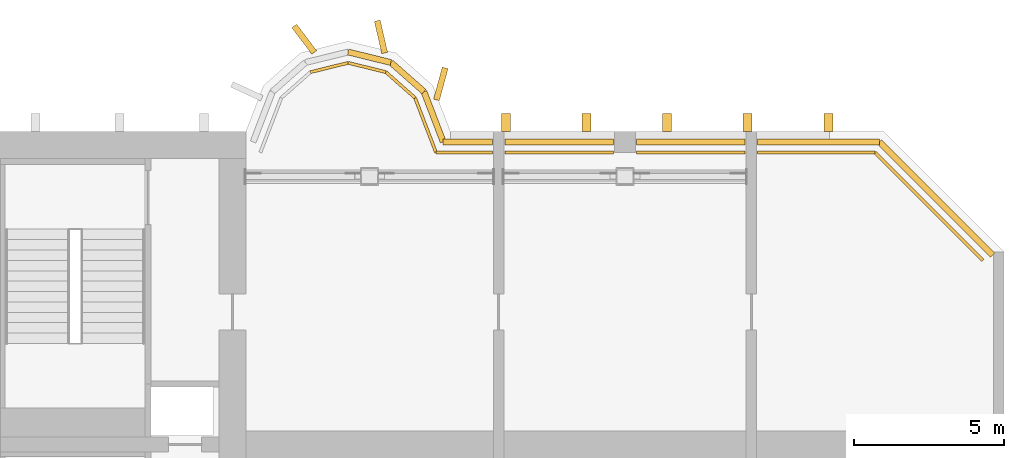
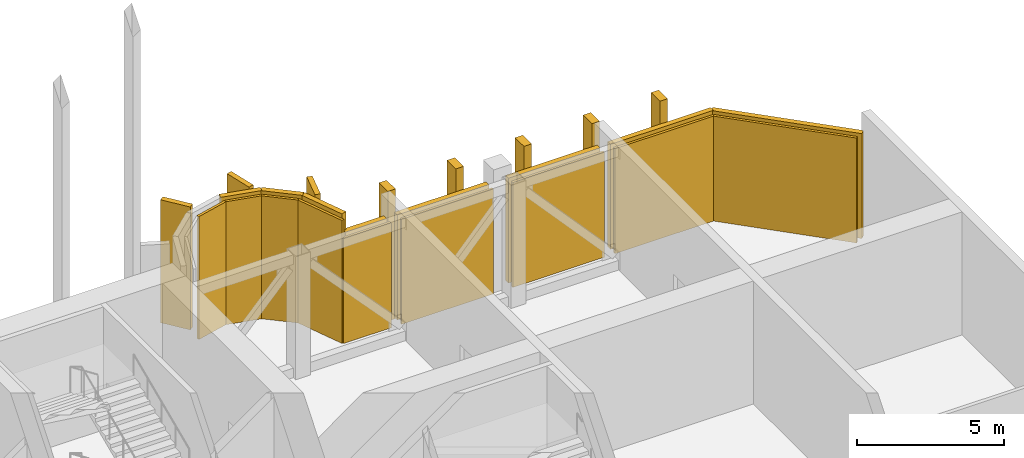
# One storey, part 17 of 17: 17 coverings, 8 shading devices.
"""IFC4 building model written with IfcOpenShell, lengths in metres."""

from ifc_helpers import new_model, si_unit, direction, frame, origin, origin_2d, place, context, subcontext, project, spatial, rectangle, extrude, source, transform, mapped, material, layer, layer_set, material_profile, profile_set, type_object, element, save


model = new_model("IFC4")

# Units and contexts
model_context = context("Model", 3, precision=1e-05, world=origin(), true_north=direction((0.0, 1.0)))
body_context = subcontext(model_context, "Body", "Model", "MODEL_VIEW")
ifc_project = project(units=[si_unit("LENGTHUNIT", "METRE"), si_unit("AREAUNIT", "SQUARE_METRE"), si_unit("VOLUMEUNIT", "CUBIC_METRE"), si_unit("PLANEANGLEUNIT", "RADIAN"), si_unit("MASSUNIT", "GRAM", prefix="KILO")], contexts=[model_context])

# Site, building, storey
site_placement = place(None, origin())
site = spatial("IfcSite", under=ifc_project, at=site_placement, CompositionType="ELEMENT")
building_placement = place(site_placement, origin())
building = spatial("IfcBuilding", under=site, at=building_placement, Name="Vanashikhar Sky Hotel", CompositionType="ELEMENT")
storey_placement = place(building_placement, frame((0.0, 0.0, 140.800048828125)))
storey = spatial("IfcBuildingStorey", under=building, at=storey_placement, Name="L34", CompositionType="ELEMENT", Elevation=140.800048828125)

# Shading devices
ifc_material_1 = material(Name="Aluminium", Category="aluminium")
ifc_layer_1 = layer(ifc_material_1, 0.199951171875)
ifc_layer_set_1 = layer_set([ifc_layer_1], Name="Aluminium louvre band")
shading_device_type = type_object("IfcShadingDeviceType", Name="Aluminium louvre band", PredefinedType="USERDEFINED", material=ifc_layer_set_1)
shared_shape_1 = source(origin(), body_context, "Body", "SweptSolid", [
    extrude(rectangle(XDim=1.7900390625, YDim=0.199951171875, at=origin_2d()), origin(), (0.0, 0.0, 1.0), 5.1201171875),
])
shading_device_1_placement = place(storey_placement, frame((81.839111328125, 42.485595703125, 0.0), z_axis=(0.0, 0.0, 1.0), x_axis=(-0.35776499493, 0.933811655744, 0.0)))
element("IfcShadingDevice", 1, at=shading_device_1_placement, inside=storey, type_object=shading_device_type, Name="Louvre band", ObjectType="LOUVRE", PredefinedType="USERDEFINED", context=body_context, shape_type="MappedRepresentation", body=[
    mapped(shared_shape_1, transform((0.0, 0.0, 0.0), scale=1.0)),
])
shared_shape_2 = source(origin(), body_context, "Body", "SweptSolid", [
    extrude(rectangle(XDim=1.464599609375, YDim=0.199951171875, at=origin_2d()), origin(), (0.0, 0.0, 1.0), 5.1201171875),
])
shading_device_2_placement = place(storey_placement, frame((80.969970703125, 43.805908203125, 0.0), z_axis=(0.0, 0.0, 1.0), x_axis=(-0.749741606437, 0.661730703214, 0.0)))
element("IfcShadingDevice", 2, at=shading_device_2_placement, inside=storey, type_object=shading_device_type, Name="Louvre band", ObjectType="LOUVRE", PredefinedType="USERDEFINED", context=body_context, shape_type="MappedRepresentation", body=[
    mapped(shared_shape_2, transform((0.0, 0.0, 0.0), scale=1.0)),
])
shared_shape_3 = source(origin(), body_context, "Body", "SweptSolid", [
    extrude(rectangle(XDim=1.463134765625, YDim=0.199951171875, at=origin_2d()), origin(), (0.0, 0.0, 1.0), 5.1201171875),
])
shading_device_3_placement = place(storey_placement, frame((79.71044921875, 44.465087890625, 0.0), z_axis=(0.0, 0.0, 1.0), x_axis=(-0.97113427991, 0.238533457579, 0.0)))
element("IfcShadingDevice", 3, at=shading_device_3_placement, inside=storey, type_object=shading_device_type, Name="Louvre band", ObjectType="LOUVRE", PredefinedType="USERDEFINED", context=body_context, shape_type="MappedRepresentation", body=[
    mapped(shared_shape_3, transform((0.0, 0.0, 0.0), scale=1.0)),
])

# Coverings
ifc_material_2 = material(Name="Concrete M40", Category="concrete")
ifc_layer_2 = layer(ifc_material_2, 0.10009765625)
ifc_layer_set_2 = layer_set([ifc_layer_2], Name="Plant floor cladding panel")
covering_type_1 = type_object("IfcCoveringType", Name="Plant floor cladding panel", PredefinedType="CLADDING", material=ifc_layer_set_2)
shared_shape_4 = source(origin(), body_context, "Body", "SweptSolid", [
    extrude(rectangle(XDim=5.076904296875, YDim=0.10009765625, at=origin_2d()), origin(), (0.0, 0.0, 1.0), 4.3701171875),
])
covering_1_placement = place(storey_placement, frame((98.304931640625, 39.5048828125, 0.0), z_axis=(0.0, 0.0, 1.0), x_axis=(-0.707106781187, 0.707106781187, 0.0)))
element("IfcCovering", 4, at=covering_1_placement, inside=storey, type_object=covering_type_1, Name="Plant floor cladding panel", PredefinedType="CLADDING", context=body_context, shape_type="MappedRepresentation", body=[
    mapped(shared_shape_4, transform((0.0, 0.0, 0.0), scale=1.0)),
])
shared_shape_5 = source(origin(), body_context, "Body", "SweptSolid", [
    extrude(rectangle(XDim=1.944580078125, YDim=0.10009765625, at=origin_2d()), origin(), (0.0, 0.0, 1.0), 5.1201171875),
])
covering_2_placement = place(storey_placement, frame((81.57080078125, 42.2080078125, 0.0), z_axis=(0.0, 0.0, 1.0), x_axis=(-0.357781292963, 0.933805411425, 0.0)))
element("IfcCovering", 5, at=covering_2_placement, inside=storey, type_object=covering_type_1, Name="Plant floor cladding panel", PredefinedType="CLADDING", context=body_context, shape_type="MappedRepresentation", body=[
    mapped(shared_shape_5, transform((0.0, 0.0, 0.0), scale=1.0)),
])
shared_shape_6 = source(origin(), body_context, "Body", "SweptSolid", [
    extrude(rectangle(XDim=1.29248046875, YDim=0.10009765625, at=origin_2d()), origin(), (0.0, 0.0, 1.0), 5.1201171875),
])
covering_3_placement = place(storey_placement, frame((80.73828125, 43.543701171875, 0.0), z_axis=(0.0, 0.0, 1.0), x_axis=(-0.749683856685, 0.661796127993, 0.0)))
element("IfcCovering", 6, at=covering_3_placement, inside=storey, type_object=covering_type_1, Name="Plant floor cladding panel", PredefinedType="CLADDING", context=body_context, shape_type="MappedRepresentation", body=[
    mapped(shared_shape_6, transform((0.0, 0.0, 0.0), scale=1.0)),
])
shared_shape_7 = source(origin(), body_context, "Body", "SweptSolid", [
    extrude(rectangle(XDim=1.291015625, YDim=0.10009765625, at=origin_2d()), origin(), (0.0, 0.0, 1.0), 5.1201171875),
])
for number, where, z_axis, x_axis, name in (
    (7, (79.626953125, 44.125244140625, 0.0), (0.0, 0.0, 1.0), (-0.97115093032, 0.238465659035, 0.0), "Plant floor cladding panel"),
    (8, (78.373046875, 44.125244140625, 0.0), (0.0, 0.0, 1.0), (-0.97115093032, -0.238465659035, 0.0), "Plant floor cladding panel"),
):
    element("IfcCovering", number, at=place(storey_placement, frame(where, z_axis=z_axis, x_axis=x_axis)), inside=storey, type_object=covering_type_1, Name=name, PredefinedType="CLADDING", context=body_context, shape_type="MappedRepresentation", body=[
        mapped(shared_shape_7, transform((0.0, 0.0, 0.0), scale=1.0)),
    ])

# Shading devices
shared_shape_8 = source(origin(), body_context, "Body", "SweptSolid", [
    extrude(rectangle(XDim=4.050048828125, YDim=0.199951171875, at=origin_2d()), origin(), (0.0, 0.0, 1.0), 4.3701171875),
])
shading_device_4_placement = place(storey_placement, frame((94.6298828125, 41.64990234375, 0.0), z_axis=(0.0, 0.0, 1.0), x_axis=(-1.0, 0.0, 0.0)))
element("IfcShadingDevice", 9, at=shading_device_4_placement, inside=storey, type_object=shading_device_type, Name="Louvre band", ObjectType="LOUVRE", PredefinedType="USERDEFINED", context=body_context, shape_type="MappedRepresentation", body=[
    mapped(shared_shape_8, transform((0.0, 0.0, 0.0), scale=1.0)),
])
shared_shape_9 = source(origin(), body_context, "Body", "SweptSolid", [
    extrude(rectangle(XDim=5.324462890625, YDim=0.199951171875, at=origin_2d()), origin(), (0.0, 0.0, 1.0), 4.3701171875),
])
shading_device_5_placement = place(storey_placement, frame((98.53759765625, 39.767578125, 0.0), z_axis=(0.0, 0.0, 1.0), x_axis=(-0.707106781187, 0.707106781187, 0.0)))
element("IfcShadingDevice", 10, at=shading_device_5_placement, inside=storey, type_object=shading_device_type, Name="Louvre band", ObjectType="LOUVRE", PredefinedType="USERDEFINED", context=body_context, shape_type="MappedRepresentation", body=[
    mapped(shared_shape_9, transform((0.0, 0.0, 0.0), scale=1.0)),
])
shared_shape_10 = source(origin(), body_context, "Body", "SweptSolid", [
    extrude(rectangle(XDim=1.6357421875, YDim=0.199951171875, at=origin_2d()), origin(), (0.0, 0.0, 1.0), 4.3701171875),
])
shading_device_6_placement = place(storey_placement, frame((82.97705078125, 41.64990234375, 0.0), z_axis=(0.0, 0.0, 1.0), x_axis=(-1.0, 0.0, 0.0)))
element("IfcShadingDevice", 11, at=shading_device_6_placement, inside=storey, type_object=shading_device_type, Name="Louvre band", ObjectType="LOUVRE", PredefinedType="USERDEFINED", context=body_context, shape_type="MappedRepresentation", body=[
    mapped(shared_shape_10, transform((0.0, 0.0, 0.0), scale=1.0)),
])
shared_shape_11 = source(origin(), body_context, "Body", "SweptSolid", [
    extrude(rectangle(XDim=3.614990234375, YDim=0.199951171875, at=origin_2d()), origin(), (0.0, 0.0, 1.0), 4.3701171875),
])
for number, where, z_axis, x_axis, name in (
    (12, (86.012451171875, 41.64990234375, 0.0), (0.0, 0.0, 1.0), (-1.0, 0.0, 0.0), "Louvre band"),
    (13, (90.387451171875, 41.64990234375, 0.0), (0.0, 0.0, 1.0), (-1.0, 0.0, 0.0), "Louvre band"),
):
    element("IfcShadingDevice", number, at=place(storey_placement, frame(where, z_axis=z_axis, x_axis=x_axis)), inside=storey, type_object=shading_device_type, Name=name, ObjectType="LOUVRE", PredefinedType="USERDEFINED", context=body_context, shape_type="MappedRepresentation", body=[
        mapped(shared_shape_11, transform((0.0, 0.0, 0.0), scale=1.0)),
    ])

# Coverings
shared_shape_12 = source(origin(), body_context, "Body", "SweptSolid", [
    extrude(rectangle(XDim=3.905029296875, YDim=0.10009765625, at=origin_2d()), origin(), (0.0, 0.0, 1.0), 4.3701171875),
])
covering_4_placement = place(storey_placement, frame((94.5576171875, 41.300048828125, 0.0), z_axis=(0.0, 0.0, 1.0), x_axis=(-1.0, 0.0, 0.0)))
element("IfcCovering", 14, at=covering_4_placement, inside=storey, type_object=covering_type_1, Name="Plant floor cladding panel", PredefinedType="CLADDING", context=body_context, shape_type="MappedRepresentation", body=[
    mapped(shared_shape_12, transform((0.0, 0.0, 0.0), scale=1.0)),
])
shared_shape_13 = source(origin(), body_context, "Body", "SweptSolid", [
    extrude(rectangle(XDim=1.87646484375, YDim=0.10009765625, at=origin_2d()), origin(), (0.0, 0.0, 1.0), 4.3701171875),
])
covering_5_placement = place(storey_placement, frame((82.856689453125, 41.300048828125, 0.0), z_axis=(0.0, 0.0, 1.0), x_axis=(-1.0, 0.0, 0.0)))
element("IfcCovering", 15, at=covering_5_placement, inside=storey, type_object=covering_type_1, Name="Plant floor cladding panel", PredefinedType="CLADDING", context=body_context, shape_type="MappedRepresentation", body=[
    mapped(shared_shape_13, transform((0.0, 0.0, 0.0), scale=1.0)),
])
shared_shape_14 = source(origin(), body_context, "Body", "SweptSolid", [
    extrude(rectangle(XDim=3.614990234375, YDim=0.10009765625, at=origin_2d()), origin(), (0.0, 0.0, 1.0), 4.3701171875),
])
for number, where, z_axis, x_axis, name in (
    (16, (86.012451171875, 41.300048828125, 0.0), (0.0, 0.0, 1.0), (-1.0, 0.0, 0.0), "Plant floor cladding panel"),
    (17, (90.387451171875, 41.300048828125, 0.0), (0.0, 0.0, 1.0), (-1.0, 0.0, 0.0), "Plant floor cladding panel"),
):
    element("IfcCovering", number, at=place(storey_placement, frame(where, z_axis=z_axis, x_axis=x_axis)), inside=storey, type_object=covering_type_1, Name=name, PredefinedType="CLADDING", context=body_context, shape_type="MappedRepresentation", body=[
        mapped(shared_shape_14, transform((0.0, 0.0, 0.0), scale=1.0)),
    ])
ifc_material_3 = material(Name="Concrete M60 dark", Category="concrete")
ifc_material_profile_1 = material_profile(ifc_material_3, rectangle(XDim=1.10009765625, YDim=0.199951171875, at=origin_2d()))
ifc_profile_set_1 = profile_set([ifc_material_profile_1], Name="Rear lobe fin 1100 x 200")
covering_type_2 = type_object("IfcCoveringType", Name="Rear lobe fin 1100 x 200", PredefinedType="CLADDING", material=ifc_profile_set_1)
shared_shape_15 = source(origin(), body_context, "Body", "SweptSolid", [
    extrude(rectangle(XDim=1.10009765625, YDim=0.199951171875, at=origin_2d()), origin(), (0.0, 0.0, 1.0), 5.119873046875),
])
for number, where, z_axis, x_axis, name in (
    (18, (77.5380859375, 45.06640625, 0.0), (0.0, 0.0, 1.0), (-0.602065892195, 0.798446404874, 0.0), "Fin R2-2"),
    (19, (80.08984375, 45.1455078125, 0.0), (0.0, 0.0, 1.0), (-0.224644935864, 0.974440687159, 0.0), "Fin R2-3"),
    (20, (82.0791015625, 43.580078125, 0.0), (0.0, 0.0, 1.0), (0.262711264409, 0.964874495234, 0.0), "Fin R2-4"),
):
    element("IfcCovering", number, at=place(storey_placement, frame(where, z_axis=z_axis, x_axis=x_axis)), inside=storey, type_object=covering_type_2, Name=name, PredefinedType="CLADDING", context=body_context, shape_type="MappedRepresentation", body=[
        mapped(shared_shape_15, transform((0.0, 0.0, 0.0), scale=1.0)),
    ])
ifc_material_profile_2 = material_profile(ifc_material_3, rectangle(XDim=0.60009765625, YDim=0.300048828125, at=origin_2d()))
ifc_profile_set_2 = profile_set([ifc_material_profile_2], Name="Rear rib 600 x 300")
covering_type_3 = type_object("IfcCoveringType", Name="Rear rib 600 x 300", PredefinedType="CLADDING", material=ifc_profile_set_2)
shared_shape_16 = source(origin(), body_context, "Body", "SweptSolid", [
    extrude(rectangle(XDim=0.60009765625, YDim=0.300048828125, at=origin_2d()), origin(), (0.0, 0.0, 1.0), 5.39990234375),
])
for number, where, z_axis, x_axis, name in (
    (21, (84.239990234375, 42.300048828125, -0.280029296875), (0.0, 0.0, 1.0), (0.0, 1.0, 0.0), "Rear rib"),
    (22, (86.919921875, 42.300048828125, -0.280029296875), (0.0, 0.0, 1.0), (0.0, 1.0, 0.0), "Rear rib"),
    (23, (89.60009765625, 42.300048828125, -0.280029296875), (0.0, 0.0, 1.0), (0.0, 1.0, 0.0), "Rear rib"),
    (24, (92.280029296875, 42.300048828125, -0.280029296875), (0.0, 0.0, 1.0), (0.0, 1.0, 0.0), "Rear rib"),
    (25, (94.9599609375, 42.300048828125, -0.280029296875), (0.0, 0.0, 1.0), (0.0, 1.0, 0.0), "Rear rib"),
):
    element("IfcCovering", number, at=place(storey_placement, frame(where, z_axis=z_axis, x_axis=x_axis)), inside=storey, type_object=covering_type_3, Name=name, PredefinedType="CLADDING", context=body_context, shape_type="MappedRepresentation", body=[
        mapped(shared_shape_16, transform((0.0, 0.0, 0.0), scale=1.0)),
    ])

save(model, "model.ifc")
